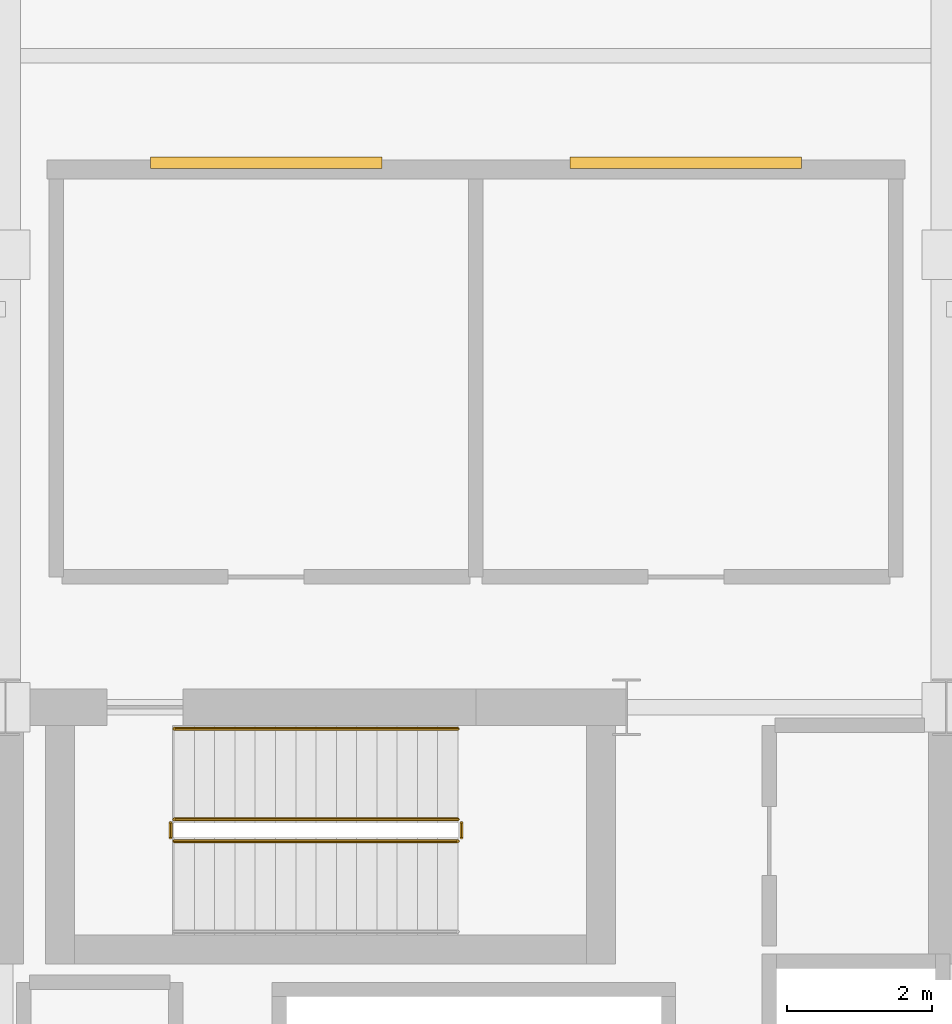
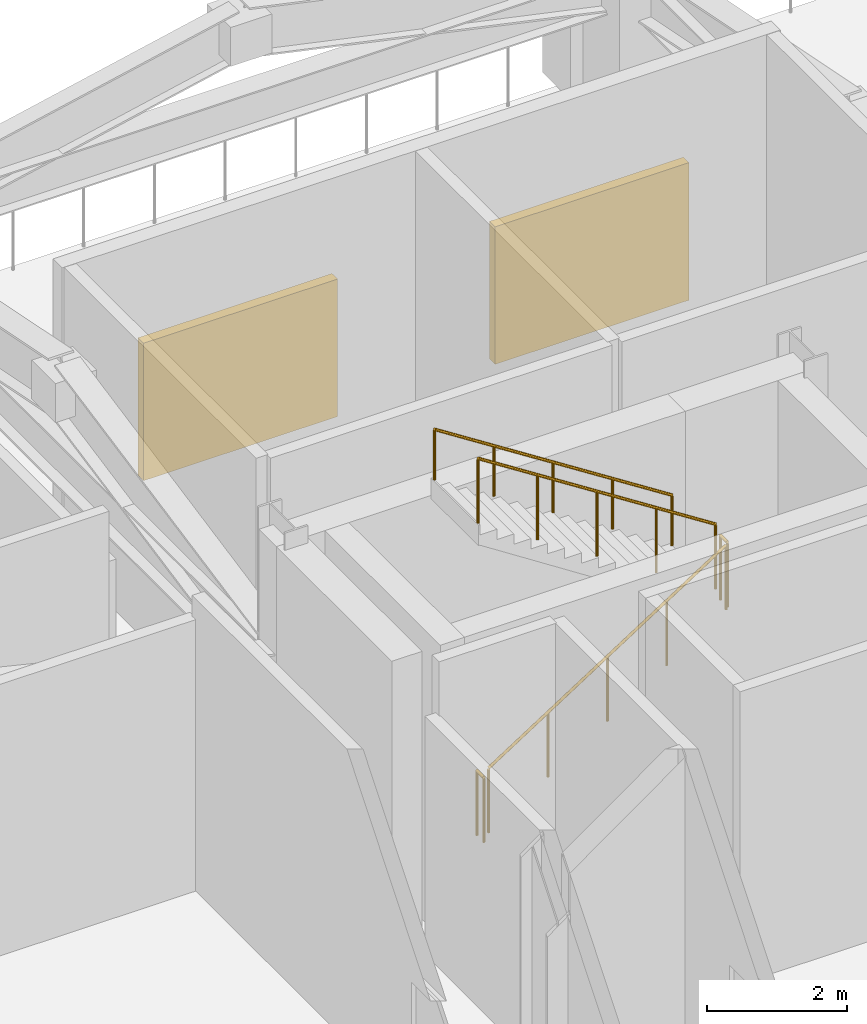
# One storey, part 8 of 9: 5 railings, 2 shading devices.
"""IFC4 building model written with IfcOpenShell, lengths in metres."""

from ifc_helpers import new_model, si_unit, direction, frame, origin, origin_2d, place, context, subcontext, project, spatial, rectangle, circle, extrude, material, type_object, element, save


model = new_model("IFC4")

# Units and contexts
model_context = context("Model", 3, precision=1e-05, world=origin(), true_north=direction((0.0, 1.0)))
body_context = subcontext(model_context, "Body", "Model", "MODEL_VIEW")
ifc_project = project(units=[si_unit("LENGTHUNIT", "METRE"), si_unit("AREAUNIT", "SQUARE_METRE"), si_unit("VOLUMEUNIT", "CUBIC_METRE"), si_unit("PLANEANGLEUNIT", "RADIAN"), si_unit("MASSUNIT", "GRAM", prefix="KILO")], contexts=[model_context])

# Site, building, storey
site_placement = place(None, origin())
site = spatial("IfcSite", under=ifc_project, at=site_placement, CompositionType="ELEMENT")
building_placement = place(site_placement, origin())
building = spatial("IfcBuilding", under=site, at=building_placement, Name="Barlavira Tower and Art Museum", CompositionType="ELEMENT")
storey_placement = place(building_placement, frame((0.0, 0.0, 212.39990234375)))
storey = spatial("IfcBuildingStorey", under=building, at=storey_placement, Name="L55", CompositionType="ELEMENT", Elevation=212.39990234375)

# Shading devices
ifc_material_1 = material(Name="Pale anodised aluminium", Category="aluminium")
shading_device_type = type_object("IfcShadingDeviceType", Name="Crown Acoustic Weatherproof Plant Louvre Panel", PredefinedType="USERDEFINED", material=ifc_material_1)
for number, where, z_axis, x_axis, name in (
    (1, (-2.89990234375, 15.02001953125, 0.800048828125), (0.0, 0.0, 1.0), (1.0, 0.0, 0.0), "L55 Plant Intake Louvre 3"),
    (2, (2.89990234375, 15.02001953125, 0.800048828125), (0.0, 0.0, 1.0), (1.0, 0.0, 0.0), "L55 Plant Intake Louvre 4"),
):
    element("IfcShadingDevice", number, at=place(storey_placement, frame(where, z_axis=z_axis, x_axis=x_axis)), inside=storey, type_object=shading_device_type, Name=name, ObjectType="LOUVER", PredefinedType="USERDEFINED", context=body_context, shape_type="SweptSolid", body=[
        extrude(rectangle(XDim=3.199951171875, YDim=0.159912109375, at=origin_2d()), origin(), (0.0, 0.0, 1.0), 2.39990234375),
    ])

# Railings
ifc_material_2 = material(Name="Brushed stainless steel", Category="steel")
railing_type_1 = type_object("IfcRailingType", Name="Interior Void and Landing Guard Railing 1150", PredefinedType="GUARDRAIL", material=ifc_material_2)
railing_1_placement = place(storey_placement, frame((-4.169921875, 5.64990234375, 0.18017578125)))
element("IfcRailing", 3, at=railing_1_placement, inside=storey, type_object=railing_type_1, Name="L55 ST-T2 stair guard 1", PredefinedType="GUARDRAIL", context=body_context, shape_type="SweptSolid", body=[
    extrude(circle(Radius=0.02392578125, at=origin_2d()), frame((0.0, 0.0, 1.1259765625), z_axis=(0.841171666519, 0.0, 0.540768182723), x_axis=(0.0, 1.0, 0.0)), (0.0, 0.0, 1.0), 4.66015625),
    extrude(circle(Radius=0.02099609375, at=origin_2d()), origin(), (0.0, 0.0, 1.0), 1.101806640625),
    extrude(circle(Radius=0.02099609375, at=origin_2d()), frame((0.97998046875, 0.0, 0.6298828125)), (0.0, 0.0, 1.0), 1.101806640625),
    extrude(circle(Radius=0.02099609375, at=origin_2d()), frame((1.9599609375, 0.0, 1.260009765625)), (0.0, 0.0, 1.0), 1.101806640625),
    extrude(circle(Radius=0.02099609375, at=origin_2d()), frame((2.93994140625, 0.0, 1.89013671875)), (0.0, 0.0, 1.0), 1.101806640625),
    extrude(circle(Radius=0.02099609375, at=origin_2d()), frame((3.919921875, 0.0, 2.52001953125)), (0.0, 0.0, 1.0), 1.101806640625),
])
railing_2_placement = place(storey_placement, frame((-0.199951171875, 5.699951171875, 2.7001953125)))
element("IfcRailing", 4, at=railing_2_placement, inside=storey, type_object=railing_type_1, Name="L55 ST-T2 stair guard 2", PredefinedType="GUARDRAIL", context=body_context, shape_type="SweptSolid", body=[
    extrude(circle(Radius=0.02392578125, at=origin_2d()), frame((0.0, 0.0, 1.1259765625), z_axis=(0.0, 1.0, 0.0), x_axis=(-1.0, 0.0, 0.0)), (0.0, 0.0, 1.0), 0.199951171875),
    extrude(circle(Radius=0.02099609375, at=origin_2d()), origin(), (0.0, 0.0, 1.0), 1.101806640625),
    extrude(circle(Radius=0.02099609375, at=origin_2d()), frame((0.0, 0.199951171875, 0.0)), (0.0, 0.0, 1.0), 1.101806640625),
])
railing_3_placement = place(storey_placement, frame((-0.25, 5.949951171875, 2.880126953125)))
element("IfcRailing", 5, at=railing_3_placement, inside=storey, type_object=railing_type_1, Name="L55 ST-T2 stair guard 3", PredefinedType="GUARDRAIL", context=body_context, shape_type="SweptSolid", body=[
    extrude(circle(Radius=0.02392578125, at=origin_2d()), frame((0.0, 0.0, 1.1259765625), z_axis=(-0.841171666519, 0.0, 0.540768182723), x_axis=(0.0, -1.0, 0.0)), (0.0, 0.0, 1.0), 4.66015625),
    extrude(circle(Radius=0.02099609375, at=origin_2d()), origin(), (0.0, 0.0, 1.0), 1.101806640625),
    extrude(circle(Radius=0.02099609375, at=origin_2d()), frame((-0.97998046875, 0.0, 0.6298828125)), (0.0, 0.0, 1.0), 1.101806640625),
    extrude(circle(Radius=0.02099609375, at=origin_2d()), frame((-1.9599609375, 0.0, 1.260009765625)), (0.0, 0.0, 1.0), 1.101806640625),
    extrude(circle(Radius=0.02099609375, at=origin_2d()), frame((-2.93994140625, 0.0, 1.89013671875)), (0.0, 0.0, 1.0), 1.101806640625),
    extrude(circle(Radius=0.02099609375, at=origin_2d()), frame((-3.919921875, 0.0, 2.52001953125)), (0.0, 0.0, 1.0), 1.101806640625),
])
railing_4_placement = place(storey_placement, frame((-4.219970703125, 5.699951171875, 0.0)))
element("IfcRailing", 6, at=railing_4_placement, inside=storey, type_object=railing_type_1, Name="L55 ST-T2 stair guard 4", PredefinedType="GUARDRAIL", context=body_context, shape_type="SweptSolid", body=[
    extrude(circle(Radius=0.02392578125, at=origin_2d()), frame((0.0, 0.0, 1.1259765625), z_axis=(0.0, 1.0, 0.0), x_axis=(-1.0, 0.0, 0.0)), (0.0, 0.0, 1.0), 0.199951171875),
    extrude(circle(Radius=0.02099609375, at=origin_2d()), origin(), (0.0, 0.0, 1.0), 1.101806640625),
    extrude(circle(Radius=0.02099609375, at=origin_2d()), frame((0.0, 0.199951171875, 0.0)), (0.0, 0.0, 1.0), 1.101806640625),
])
railing_type_2 = type_object("IfcRailingType", Name="Stair Pitch Tubular Steel Handrail 920", PredefinedType="HANDRAIL", material=ifc_material_2)
railing_5_placement = place(storey_placement, frame((-0.25, 7.199951171875, 2.880126953125)))
element("IfcRailing", 7, at=railing_5_placement, inside=storey, type_object=railing_type_2, Name="L55 ST-T2 stair handrail 2", PredefinedType="HANDRAIL", context=body_context, shape_type="SweptSolid", body=[
    extrude(circle(Radius=0.02392578125, at=origin_2d()), frame((0.0, 0.0, 0.8759765625), z_axis=(-0.841171666519, 0.0, 0.540768182723), x_axis=(0.0, -1.0, 0.0)), (0.0, 0.0, 1.0), 4.66015625),
    extrude(circle(Radius=0.02099609375, at=origin_2d()), origin(), (0.0, 0.0, 1.0), 0.851806640625),
    extrude(circle(Radius=0.02099609375, at=origin_2d()), frame((-0.97998046875, 0.0, 0.6298828125)), (0.0, 0.0, 1.0), 0.851806640625),
    extrude(circle(Radius=0.02099609375, at=origin_2d()), frame((-1.9599609375, 0.0, 1.260009765625)), (0.0, 0.0, 1.0), 0.851806640625),
    extrude(circle(Radius=0.02099609375, at=origin_2d()), frame((-2.93994140625, 0.0, 1.89013671875)), (0.0, 0.0, 1.0), 0.851806640625),
    extrude(circle(Radius=0.02099609375, at=origin_2d()), frame((-3.919921875, 0.0, 2.52001953125)), (0.0, 0.0, 1.0), 0.851806640625),
])

save(model, "model.ifc")
